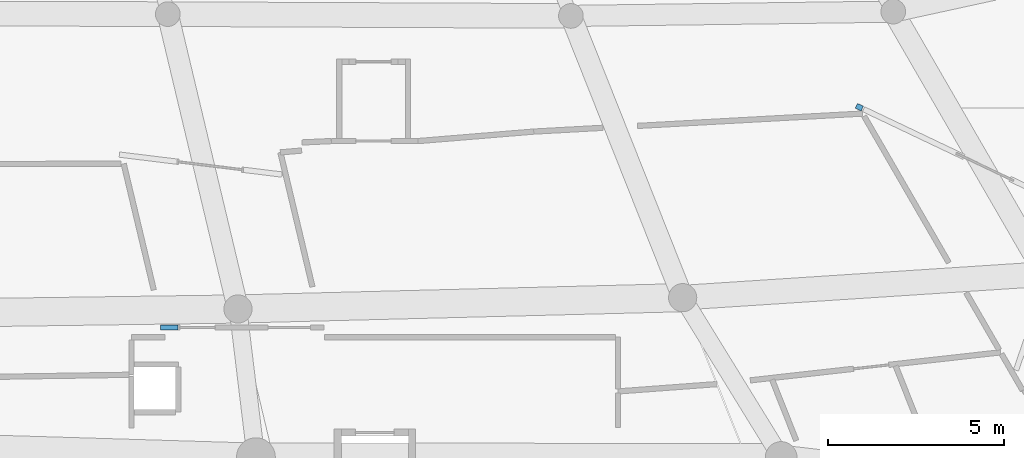
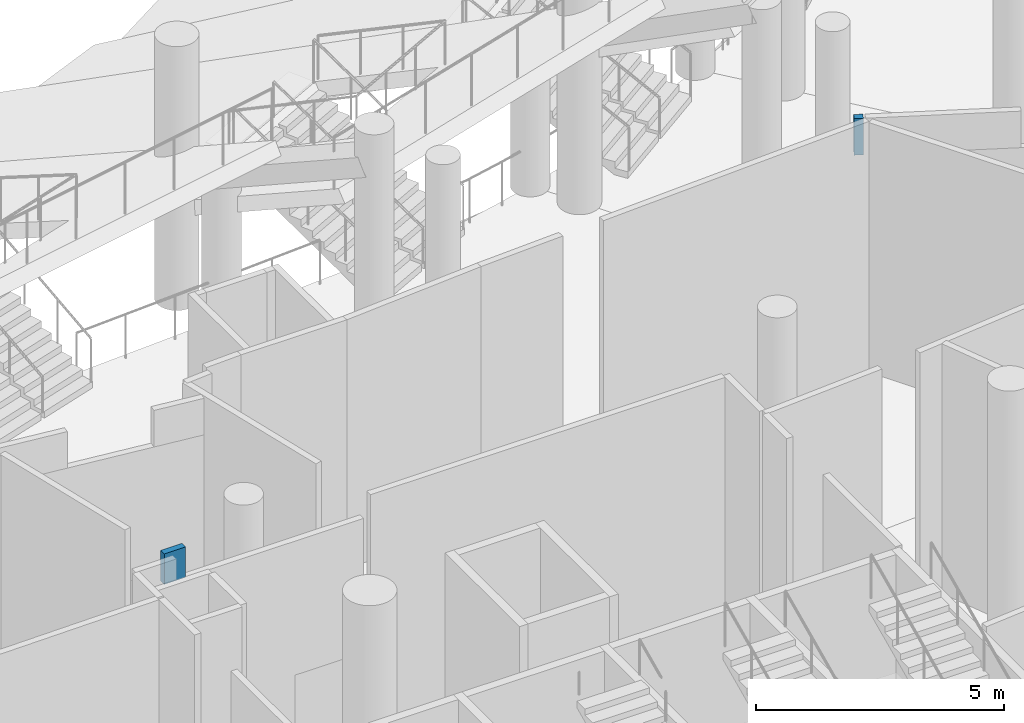
# One storey, part 157 of 255: 2 walls.
"""IFC4 building model written with IfcOpenShell, lengths in metres."""

from ifc_helpers import new_model, si_unit, direction, frame, frame_2d, origin, place, context, subcontext, project, spatial, rectangle, extrude, material, layer, layer_set, type_object, element, save


model = new_model("IFC4")

# Units and contexts
model_context = context("Model", 3, precision=1e-05, world=origin(), true_north=direction((0.0, 1.0)))
body_context = subcontext(model_context, "Body", "Model", "MODEL_VIEW")
ifc_project = project(units=[si_unit("LENGTHUNIT", "METRE"), si_unit("AREAUNIT", "SQUARE_METRE"), si_unit("VOLUMEUNIT", "CUBIC_METRE"), si_unit("PLANEANGLEUNIT", "RADIAN"), si_unit("MASSUNIT", "GRAM", prefix="KILO")], contexts=[model_context])

# Site, building, storey
site_placement = place(None, origin())
site = spatial("IfcSite", under=ifc_project, at=site_placement, CompositionType="ELEMENT")
building_placement = place(site_placement, origin())
building = spatial("IfcBuilding", under=site, at=building_placement, Name="Meseta Stadium", CompositionType="ELEMENT")
storey_placement = place(building_placement, origin())
storey = spatial("IfcBuildingStorey", under=building, at=storey_placement, Name="L00", CompositionType="ELEMENT", Elevation=0.0)

# Walls
ifc_material = material(Name="Masonry blockwork", Category="masonry")
ifc_layer = layer(ifc_material, 0.14990234375)
ifc_layer_set = layer_set([ifc_layer], Name="Partition 150")
wall_type = type_object("IfcWallType", Name="Partition 150", PredefinedType="PARTITIONING", material=ifc_layer_set)
wall_1_placement = place(storey_placement, frame((16.922119140625, -86.22509765625, 5.39990234375), z_axis=(0.0, 0.0, 1.0), x_axis=(1.0, 0.0, 0.0)))
element("IfcWall", 1, at=wall_1_placement, inside=storey, type_object=wall_type, Name="Escape corridor sector wall L00 core 25", PredefinedType="PARTITIONING", context=body_context, shape_type="SweptSolid", body=[
    extrude(rectangle(XDim=0.5, YDim=0.14990234375, at=frame_2d((0.25, 0.0))), origin(), (0.0, 0.0, 1.0), 0.75),
])
wall_2_placement = place(storey_placement, frame((36.665283203125, -79.932861328125, 5.25), z_axis=(0.0, 0.0, 1.0), x_axis=(0.903175725346, -0.429271020622, 0.0)))
element("IfcWall", 2, at=wall_2_placement, inside=storey, type_object=wall_type, Name="Escape corridor discharge wall L00 core 26", PredefinedType="PARTITIONING", context=body_context, shape_type="SweptSolid", body=[
    extrude(rectangle(XDim=0.18603515625, YDim=0.14990234375, at=frame_2d((0.093017578125, 0.0))), origin(), (0.0, 0.0, 1.0), 0.89990234375),
])

save(model, "model.ifc")
